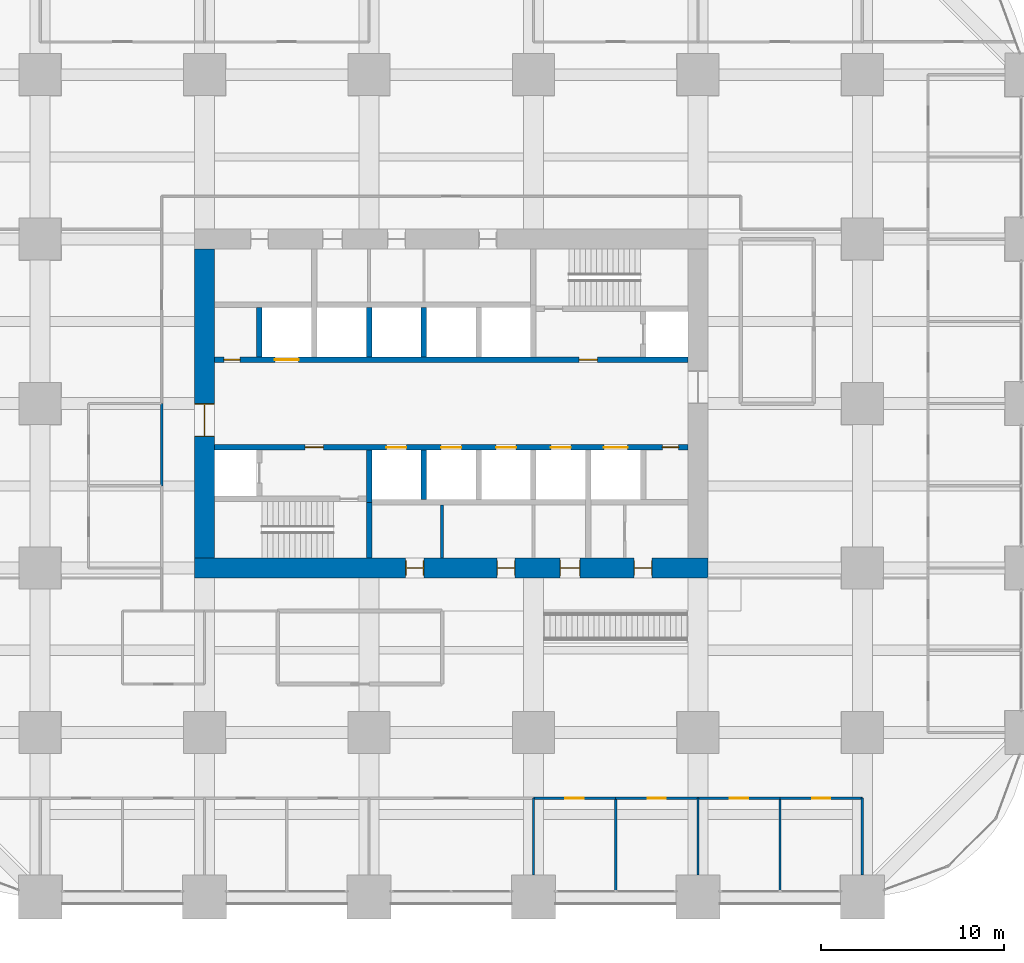
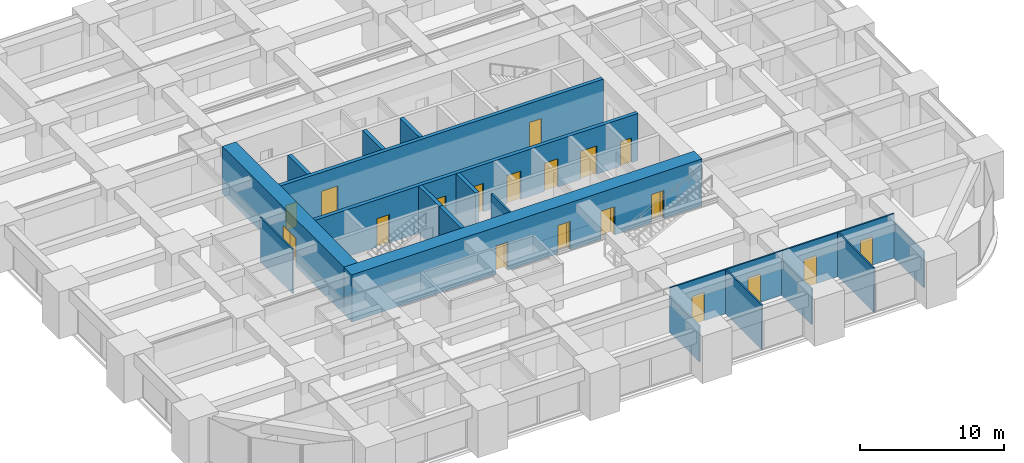
# One storey, part 40 of 45: 21 walls, 19 doors, 19 openings.
"""IFC4 building model written with IfcOpenShell, lengths in metres."""

from ifc_helpers import new_model, si_unit, direction, frame, frame_2d, origin, place, context, subcontext, project, spatial, rectangle, extrude, material, layer, layer_set, type_object, element, fill, save


model = new_model("IFC4")

# Units and contexts
model_context = context("Model", 3, precision=1e-05, world=origin(), true_north=direction((0.0, 1.0)))
body_context = subcontext(model_context, "Body", "Model", "MODEL_VIEW")
ifc_project = project(units=[si_unit("LENGTHUNIT", "METRE"), si_unit("AREAUNIT", "SQUARE_METRE"), si_unit("VOLUMEUNIT", "CUBIC_METRE"), si_unit("PLANEANGLEUNIT", "RADIAN"), si_unit("MASSUNIT", "GRAM", prefix="KILO")], contexts=[model_context])

# Site, building, storey
site_placement = place(None, origin())
site = spatial("IfcSite", under=ifc_project, at=site_placement, CompositionType="ELEMENT")
building_placement = place(site_placement, origin())
building = spatial("IfcBuilding", under=site, at=building_placement, Name="Zorevar Civic Tower", CompositionType="ELEMENT")
storey_placement = place(building_placement, frame((0.0, 0.0, 23.800048828125)))
storey = spatial("IfcBuildingStorey", under=building, at=storey_placement, Name="L05", CompositionType="ELEMENT", Elevation=23.800048828125)

# Wall, openings, doors
ifc_material_1 = material(Name="Concrete C50/60", Category="concrete")
ifc_layer_1 = layer(ifc_material_1, 1.10009765625)
ifc_layer_set_1 = layer_set([ifc_layer_1], Name="Core wall 1100")
wall_type_1 = type_object("IfcWallType", Name="Core wall 1100", PredefinedType="SHEAR", material=ifc_layer_set_1)
wall_1_placement = place(storey_placement, frame((17.449951171875, 18.0, 0.0), z_axis=(0.0, 0.0, 1.0), x_axis=(1.0, 0.0, 0.0)))
wall_1 = element("IfcWall", 1, at=wall_1_placement, inside=storey, type_object=wall_type_1, Name="Core wall S L05", PredefinedType="SHEAR", context=body_context, shape_type="SweptSolid", body=[
    extrude(rectangle(XDim=28.10009765625, YDim=1.10009765625, at=frame_2d((14.050048828125, 0.0))), origin(), (0.0, 0.0, 1.0), 4.0),
])
opening_1_placement = place(wall_1_placement, frame((11.550048828125, 0.0, 0.0)))
opening_1 = element("IfcOpeningElement", 2, at=opening_1_placement, cuts=wall_1, Name="Opening L05.03", PredefinedType="OPENING", context=body_context, shape_type="SweptSolid", body=[
    extrude(rectangle(XDim=1.0, YDim=2.39990234375, at=frame_2d((0.5, 1.199951171875))), frame((0.0, 0.56005859375, 0.0), z_axis=(0.0, -1.0, 0.0), x_axis=(1.0, 0.0, 0.0)), (0.0, 0.0, 1.0), 1.1201171875),
])
opening_2_placement = place(wall_1_placement, frame((16.550048828125, 0.0, 0.0)))
opening_2 = element("IfcOpeningElement", 3, at=opening_2_placement, cuts=wall_1, Name="Opening L05.04", PredefinedType="OPENING", context=body_context, shape_type="SweptSolid", body=[
    extrude(rectangle(XDim=1.0, YDim=2.39990234375, at=frame_2d((0.5, 1.199951171875))), frame((0.0, 0.56005859375, 0.0), z_axis=(0.0, -1.0, 0.0), x_axis=(1.0, 0.0, 0.0)), (0.0, 0.0, 1.0), 1.1201171875),
])
opening_3_placement = place(wall_1_placement, frame((20.0, 0.0, 0.0)))
opening_3 = element("IfcOpeningElement", 4, at=opening_3_placement, cuts=wall_1, Name="Opening L05.05", PredefinedType="OPENING", context=body_context, shape_type="SweptSolid", body=[
    extrude(rectangle(XDim=1.10009765625, YDim=2.39990234375, at=frame_2d((0.550048828125, 1.199951171875))), frame((0.0, 0.56005859375, 0.0), z_axis=(0.0, -1.0, 0.0), x_axis=(1.0, 0.0, 0.0)), (0.0, 0.0, 1.0), 1.1201171875),
])
opening_4_placement = place(wall_1_placement, frame((24.050048828125, 0.0, 0.0)))
opening_4 = element("IfcOpeningElement", 5, at=opening_4_placement, cuts=wall_1, Name="Opening L05.06", PredefinedType="OPENING", context=body_context, shape_type="SweptSolid", body=[
    extrude(rectangle(XDim=1.0, YDim=2.39990234375, at=frame_2d((0.5, 1.199951171875))), frame((0.0, 0.56005859375, 0.0), z_axis=(0.0, -1.0, 0.0), x_axis=(1.0, 0.0, 0.0)), (0.0, 0.0, 1.0), 1.1201171875),
])
ifc_material_2 = material(Name="Timber door set", Category="wood")
door_type_1 = type_object("IfcDoorType", Name="Door D1 1000x2400", OperationType="SINGLE_SWING_LEFT", PredefinedType="DOOR", material=ifc_material_2)
door_1_placement = place(opening_1_placement, origin())
door_1 = element("IfcDoor", 6, at=door_1_placement, inside=storey, type_object=door_type_1, Name="Door L05 02", OperationType="SINGLE_SWING_RIGHT", OverallHeight=2.39990234375, OverallWidth=1.0, PredefinedType="DOOR", context=body_context, shape_type="SweptSolid", body=[
    extrude(rectangle(XDim=1.0, YDim=2.39990234375, at=frame_2d((0.5, 1.199951171875))), frame((0.0, 0.02490234375, 0.0), z_axis=(0.0, -1.0, 0.0), x_axis=(1.0, 0.0, 0.0)), (0.0, 0.0, 1.0), 0.050048828125),
    extrude(rectangle(XDim=0.04, YDim=2.39990234375, at=frame_2d((0.02001953125, 1.199951171875))), frame((0.0, 0.39990234375, 0.0), z_axis=(0.0, -1.0, 0.0), x_axis=(1.0, 0.0, 0.0)), (0.0, 0.0, 1.0), 0.800048828125),
    extrude(rectangle(XDim=0.04, YDim=2.39990234375, at=frame_2d((0.97998046875, 1.199951171875))), frame((0.0, 0.39990234375, 0.0), z_axis=(0.0, -1.0, 0.0), x_axis=(1.0, 0.0, 0.0)), (0.0, 0.0, 1.0), 0.800048828125),
    extrude(rectangle(XDim=1.0, YDim=0.04, at=frame_2d((0.5, 2.3798828125))), frame((0.0, 0.39990234375, 0.0), z_axis=(0.0, -1.0, 0.0), x_axis=(1.0, 0.0, 0.0)), (0.0, 0.0, 1.0), 0.800048828125),
])
fill(opening_1, door_1)
door_2_placement = place(opening_2_placement, origin())
door_2 = element("IfcDoor", 7, at=door_2_placement, inside=storey, type_object=door_type_1, Name="Door L05 03", OperationType="SINGLE_SWING_LEFT", OverallHeight=2.39990234375, OverallWidth=1.0, PredefinedType="DOOR", context=body_context, shape_type="SweptSolid", body=[
    extrude(rectangle(XDim=1.0, YDim=2.39990234375, at=frame_2d((0.5, 1.199951171875))), frame((0.0, 0.02490234375, 0.0), z_axis=(0.0, -1.0, 0.0), x_axis=(1.0, 0.0, 0.0)), (0.0, 0.0, 1.0), 0.050048828125),
    extrude(rectangle(XDim=0.04, YDim=2.39990234375, at=frame_2d((0.02001953125, 1.199951171875))), frame((0.0, 0.39990234375, 0.0), z_axis=(0.0, -1.0, 0.0), x_axis=(1.0, 0.0, 0.0)), (0.0, 0.0, 1.0), 0.800048828125),
    extrude(rectangle(XDim=0.04, YDim=2.39990234375, at=frame_2d((0.97998046875, 1.199951171875))), frame((0.0, 0.39990234375, 0.0), z_axis=(0.0, -1.0, 0.0), x_axis=(1.0, 0.0, 0.0)), (0.0, 0.0, 1.0), 0.800048828125),
    extrude(rectangle(XDim=1.0, YDim=0.04, at=frame_2d((0.5, 2.3798828125))), frame((0.0, 0.39990234375, 0.0), z_axis=(0.0, -1.0, 0.0), x_axis=(1.0, 0.0, 0.0)), (0.0, 0.0, 1.0), 0.800048828125),
])
fill(opening_2, door_2)
door_3_placement = place(opening_4_placement, origin())
door_3 = element("IfcDoor", 8, at=door_3_placement, inside=storey, type_object=door_type_1, Name="Door L05 05", OperationType="SINGLE_SWING_LEFT", OverallHeight=2.39990234375, OverallWidth=1.0, PredefinedType="DOOR", context=body_context, shape_type="SweptSolid", body=[
    extrude(rectangle(XDim=1.0, YDim=2.39990234375, at=frame_2d((0.5, 1.199951171875))), frame((0.0, 0.02490234375, 0.0), z_axis=(0.0, -1.0, 0.0), x_axis=(1.0, 0.0, 0.0)), (0.0, 0.0, 1.0), 0.050048828125),
    extrude(rectangle(XDim=0.04, YDim=2.39990234375, at=frame_2d((0.02001953125, 1.199951171875))), frame((0.0, 0.39990234375, 0.0), z_axis=(0.0, -1.0, 0.0), x_axis=(1.0, 0.0, 0.0)), (0.0, 0.0, 1.0), 0.800048828125),
    extrude(rectangle(XDim=0.04, YDim=2.39990234375, at=frame_2d((0.97998046875, 1.199951171875))), frame((0.0, 0.39990234375, 0.0), z_axis=(0.0, -1.0, 0.0), x_axis=(1.0, 0.0, 0.0)), (0.0, 0.0, 1.0), 0.800048828125),
    extrude(rectangle(XDim=1.0, YDim=0.04, at=frame_2d((0.5, 2.3798828125))), frame((0.0, 0.39990234375, 0.0), z_axis=(0.0, -1.0, 0.0), x_axis=(1.0, 0.0, 0.0)), (0.0, 0.0, 1.0), 0.800048828125),
])
fill(opening_4, door_3)
ifc_material_3 = material(Name="Timber door set", Category="wood")
door_type_2 = type_object("IfcDoorType", Name="Door D5 1100x2400", OperationType="SINGLE_SWING_LEFT", PredefinedType="DOOR", material=ifc_material_3)
door_4_placement = place(opening_3_placement, origin())
door_4 = element("IfcDoor", 9, at=door_4_placement, inside=storey, type_object=door_type_2, Name="Door L05 04", OperationType="SINGLE_SWING_LEFT", OverallHeight=2.39990234375, OverallWidth=1.10009765625, PredefinedType="DOOR", context=body_context, shape_type="SweptSolid", body=[
    extrude(rectangle(XDim=1.10009765625, YDim=2.39990234375, at=frame_2d((0.550048828125, 1.199951171875))), frame((0.0, 0.02490234375, 0.0), z_axis=(0.0, -1.0, 0.0), x_axis=(1.0, 0.0, 0.0)), (0.0, 0.0, 1.0), 0.050048828125),
    extrude(rectangle(XDim=0.04, YDim=2.39990234375, at=frame_2d((0.02001953125, 1.199951171875))), frame((0.0, 0.43994140625, 0.0), z_axis=(0.0, -1.0, 0.0), x_axis=(1.0, 0.0, 0.0)), (0.0, 0.0, 1.0), 0.880126953125),
    extrude(rectangle(XDim=0.04, YDim=2.39990234375, at=frame_2d((1.080078125, 1.199951171875))), frame((0.0, 0.43994140625, 0.0), z_axis=(0.0, -1.0, 0.0), x_axis=(1.0, 0.0, 0.0)), (0.0, 0.0, 1.0), 0.880126953125),
    extrude(rectangle(XDim=1.10009765625, YDim=0.04, at=frame_2d((0.550048828125, 2.3798828125))), frame((0.0, 0.43994140625, 0.0), z_axis=(0.0, -1.0, 0.0), x_axis=(1.0, 0.0, 0.0)), (0.0, 0.0, 1.0), 0.880126953125),
])
fill(opening_3, door_4)

# Wall, opening, door
wall_2_placement = place(storey_placement, frame((18.0, 35.449951171875, 0.0), z_axis=(0.0, 0.0, 1.0), x_axis=(0.0, -1.0, 0.0)))
wall_2 = element("IfcWall", 10, at=wall_2_placement, inside=storey, type_object=wall_type_1, Name="Core wall W L05", PredefinedType="SHEAR", context=body_context, shape_type="SweptSolid", body=[
    extrude(rectangle(XDim=16.89990234375, YDim=1.10009765625, at=frame_2d((8.449951171875, 0.0))), origin(), (0.0, 0.0, 1.0), 4.0),
])
opening_5_placement = place(wall_2_placement, frame((8.449951171875, 0.0, 0.0)))
opening_5 = element("IfcOpeningElement", 11, at=opening_5_placement, cuts=wall_2, Name="Opening L05.01", PredefinedType="OPENING", context=body_context, shape_type="SweptSolid", body=[
    extrude(rectangle(XDim=1.800048828125, YDim=2.39990234375, at=frame_2d((0.89990234375, 1.199951171875))), frame((0.0, 0.56005859375, 0.0), z_axis=(0.0, -1.0, 0.0), x_axis=(1.0, 0.0, 0.0)), (0.0, 0.0, 1.0), 1.1201171875),
])
ifc_material_4 = material(Name="Steel door set", Category="steel")
door_type_3 = type_object("IfcDoorType", Name="Fire door FD2 1800x2400", OperationType="DOUBLE_DOOR_DOUBLE_SWING", PredefinedType="DOOR", material=ifc_material_4)
door_5_placement = place(opening_5_placement, origin())
door_5 = element("IfcDoor", 12, at=door_5_placement, inside=storey, type_object=door_type_3, Name="Door L05 00", OperationType="DOUBLE_DOOR_DOUBLE_SWING", OverallHeight=2.39990234375, OverallWidth=1.800048828125, PredefinedType="DOOR", context=body_context, shape_type="SweptSolid", body=[
    extrude(rectangle(XDim=1.800048828125, YDim=2.39990234375, at=frame_2d((0.89990234375, 1.199951171875))), frame((0.0, 0.030029296875, 0.0), z_axis=(0.0, -1.0, 0.0), x_axis=(1.0, 0.0, 0.0)), (0.0, 0.0, 1.0), 0.06005859375),
    extrude(rectangle(XDim=0.04, YDim=2.39990234375, at=frame_2d((0.02001953125, 1.199951171875))), frame((0.0, 0.5498046875, 0.0), z_axis=(0.0, -1.0, 0.0), x_axis=(1.0, 0.0, 0.0)), (0.0, 0.0, 1.0), 1.099609375),
    extrude(rectangle(XDim=0.04, YDim=2.39990234375, at=frame_2d((1.780029296875, 1.199951171875))), frame((0.0, 0.5498046875, 0.0), z_axis=(0.0, -1.0, 0.0), x_axis=(1.0, 0.0, 0.0)), (0.0, 0.0, 1.0), 1.099609375),
    extrude(rectangle(XDim=1.800048828125, YDim=0.04, at=frame_2d((0.89990234375, 2.3798828125))), frame((0.0, 0.5498046875, 0.0), z_axis=(0.0, -1.0, 0.0), x_axis=(1.0, 0.0, 0.0)), (0.0, 0.0, 1.0), 1.099609375),
])
fill(opening_5, door_5)

# Wall
ifc_material_5 = material(Name="Concrete C40/50", Category="concrete")
ifc_layer_2 = layer(ifc_material_5, 0.300048828125)
ifc_layer_set_2 = layer_set([ifc_layer_2], Name="Inner core wall 300")
wall_type_2 = type_object("IfcWallType", Name="Inner core wall 300", PredefinedType="SHEAR", material=ifc_layer_set_2)
wall_3_placement = place(storey_placement, frame((27.0, 18.550048828125, 0.0), z_axis=(0.0, 0.0, 1.0), x_axis=(0.0, 1.0, 0.0)))
element("IfcWall", 13, at=wall_3_placement, inside=storey, type_object=wall_type_2, Name="Inner core wall S01 L05", PredefinedType="SHEAR", context=body_context, shape_type="SweptSolid", body=[
    extrude(rectangle(XDim=3.050048828125, YDim=0.300048828125, at=frame_2d((1.52490234375, 0.0))), origin(), (0.0, 0.0, 1.0), 4.0),
])

# Wall, openings, doors
wall_4_placement = place(storey_placement, frame((18.550048828125, 24.60009765625, 0.0), z_axis=(0.0, 0.0, 1.0), x_axis=(1.0, 0.0, 0.0)))
wall_4 = element("IfcWall", 14, at=wall_4_placement, inside=storey, type_object=wall_type_2, Name="Inner core wall S03 L05", PredefinedType="SHEAR", context=body_context, shape_type="SweptSolid", body=[
    extrude(rectangle(XDim=25.89990234375, YDim=0.300048828125, at=frame_2d((12.949951171875, 0.0))), origin(), (0.0, 0.0, 1.0), 4.0),
])
opening_6_placement = place(wall_4_placement, frame((4.949951171875, 0.0, 0.0)))
opening_6 = element("IfcOpeningElement", 15, at=opening_6_placement, cuts=wall_4, Name="Opening L05.13", PredefinedType="OPENING", context=body_context, shape_type="SweptSolid", body=[
    extrude(rectangle(XDim=1.0, YDim=2.39990234375, at=frame_2d((0.5, 1.199951171875))), frame((0.0, 0.159912109375, 0.0), z_axis=(0.0, -1.0, 0.0), x_axis=(1.0, 0.0, 0.0)), (0.0, 0.0, 1.0), 0.320068359375),
])
opening_7_placement = place(wall_4_placement, frame((24.5, 0.0, 0.0)))
opening_7 = element("IfcOpeningElement", 16, at=opening_7_placement, cuts=wall_4, Name="Opening L05.15", PredefinedType="OPENING", context=body_context, shape_type="SweptSolid", body=[
    extrude(rectangle(XDim=0.89990234375, YDim=2.10009765625, at=frame_2d((0.449951171875, 1.050048828125))), frame((0.0, 0.159912109375, 0.0), z_axis=(0.0, -1.0, 0.0), x_axis=(1.0, 0.0, 0.0)), (0.0, 0.0, 1.0), 0.320068359375),
])
opening_8_placement = place(wall_4_placement, frame((9.39990234375, 0.0, 0.0)))
opening_8 = element("IfcOpeningElement", 17, at=opening_8_placement, cuts=wall_4, Name="Opening L05.LP1", PredefinedType="OPENING", context=body_context, shape_type="SweptSolid", body=[
    extrude(rectangle(XDim=1.10009765625, YDim=2.39990234375, at=frame_2d((0.550048828125, 1.199951171875))), frame((0.0, 0.159912109375, 0.0), z_axis=(0.0, -1.0, 0.0), x_axis=(1.0, 0.0, 0.0)), (0.0, 0.0, 1.0), 0.320068359375),
])
opening_9_placement = place(wall_4_placement, frame((12.39990234375, 0.0, 0.0)))
opening_9 = element("IfcOpeningElement", 18, at=opening_9_placement, cuts=wall_4, Name="Opening L05.LP2", PredefinedType="OPENING", context=body_context, shape_type="SweptSolid", body=[
    extrude(rectangle(XDim=1.10009765625, YDim=2.39990234375, at=frame_2d((0.550048828125, 1.199951171875))), frame((0.0, 0.159912109375, 0.0), z_axis=(0.0, -1.0, 0.0), x_axis=(1.0, 0.0, 0.0)), (0.0, 0.0, 1.0), 0.320068359375),
])
opening_10_placement = place(wall_4_placement, frame((15.39990234375, 0.0, 0.0)))
opening_10 = element("IfcOpeningElement", 19, at=opening_10_placement, cuts=wall_4, Name="Opening L05.LP3", PredefinedType="OPENING", context=body_context, shape_type="SweptSolid", body=[
    extrude(rectangle(XDim=1.10009765625, YDim=2.39990234375, at=frame_2d((0.550048828125, 1.199951171875))), frame((0.0, 0.159912109375, 0.0), z_axis=(0.0, -1.0, 0.0), x_axis=(1.0, 0.0, 0.0)), (0.0, 0.0, 1.0), 0.320068359375),
])
opening_11_placement = place(wall_4_placement, frame((18.39990234375, 0.0, 0.0)))
opening_11 = element("IfcOpeningElement", 20, at=opening_11_placement, cuts=wall_4, Name="Opening L05.LP4", PredefinedType="OPENING", context=body_context, shape_type="SweptSolid", body=[
    extrude(rectangle(XDim=1.10009765625, YDim=2.39990234375, at=frame_2d((0.550048828125, 1.199951171875))), frame((0.0, 0.159912109375, 0.0), z_axis=(0.0, -1.0, 0.0), x_axis=(1.0, 0.0, 0.0)), (0.0, 0.0, 1.0), 0.320068359375),
])
opening_12_placement = place(wall_4_placement, frame((21.300048828125, 0.0, 0.0)))
opening_12 = element("IfcOpeningElement", 21, at=opening_12_placement, cuts=wall_4, Name="Opening L05.SL1", PredefinedType="OPENING", context=body_context, shape_type="SweptSolid", body=[
    extrude(rectangle(XDim=1.300048828125, YDim=2.39990234375, at=frame_2d((0.64990234375, 1.199951171875))), frame((0.0, 0.159912109375, 0.0), z_axis=(0.0, -1.0, 0.0), x_axis=(1.0, 0.0, 0.0)), (0.0, 0.0, 1.0), 0.320068359375),
])
ifc_material_6 = material(Name="Steel door set", Category="steel")
door_type_4 = type_object("IfcDoorType", Name="Fire door FD1 1000x2400", OperationType="SINGLE_SWING_LEFT", PredefinedType="DOOR", material=ifc_material_6)
door_6_placement = place(opening_6_placement, origin())
door_6 = element("IfcDoor", 22, at=door_6_placement, inside=storey, type_object=door_type_4, Name="Door L05 12", OperationType="SINGLE_SWING_RIGHT", OverallHeight=2.39990234375, OverallWidth=1.0, PredefinedType="DOOR", context=body_context, shape_type="SweptSolid", body=[
    extrude(rectangle(XDim=1.0, YDim=2.39990234375, at=frame_2d((0.5, 1.199951171875))), frame((0.0, 0.030029296875, 0.0), z_axis=(0.0, -1.0, 0.0), x_axis=(1.0, 0.0, 0.0)), (0.0, 0.0, 1.0), 0.06005859375),
])
fill(opening_6, door_6)
ifc_material_7 = material(Name="Steel door set", Category="steel")
door_type_5 = type_object("IfcDoorType", Name="Landing door LD1 1100x2400", OperationType="DOUBLE_DOOR_SLIDING", PredefinedType="DOOR", material=ifc_material_7)
door_7_placement = place(opening_8_placement, origin())
door_7 = element("IfcDoor", 23, at=door_7_placement, inside=storey, type_object=door_type_5, Name="Landing door LP1 L05", OperationType="DOUBLE_DOOR_SLIDING", OverallHeight=2.39990234375, OverallWidth=1.10009765625, PredefinedType="DOOR", context=body_context, shape_type="SweptSolid", body=[
    extrude(rectangle(XDim=1.10009765625, YDim=2.39990234375, at=frame_2d((0.550048828125, 1.199951171875))), frame((0.0, 0.02001953125, 0.0), z_axis=(0.0, -1.0, 0.0), x_axis=(1.0, 0.0, 0.0)), (0.0, 0.0, 1.0), 0.0400390625),
])
fill(opening_8, door_7)
door_8_placement = place(opening_9_placement, origin())
door_8 = element("IfcDoor", 24, at=door_8_placement, inside=storey, type_object=door_type_5, Name="Landing door LP2 L05", OperationType="DOUBLE_DOOR_SLIDING", OverallHeight=2.39990234375, OverallWidth=1.10009765625, PredefinedType="DOOR", context=body_context, shape_type="SweptSolid", body=[
    extrude(rectangle(XDim=1.10009765625, YDim=2.39990234375, at=frame_2d((0.550048828125, 1.199951171875))), frame((0.0, 0.02001953125, 0.0), z_axis=(0.0, -1.0, 0.0), x_axis=(1.0, 0.0, 0.0)), (0.0, 0.0, 1.0), 0.0400390625),
])
fill(opening_9, door_8)
door_9_placement = place(opening_10_placement, origin())
door_9 = element("IfcDoor", 25, at=door_9_placement, inside=storey, type_object=door_type_5, Name="Landing door LP3 L05", OperationType="DOUBLE_DOOR_SLIDING", OverallHeight=2.39990234375, OverallWidth=1.10009765625, PredefinedType="DOOR", context=body_context, shape_type="SweptSolid", body=[
    extrude(rectangle(XDim=1.10009765625, YDim=2.39990234375, at=frame_2d((0.550048828125, 1.199951171875))), frame((0.0, 0.02001953125, 0.0), z_axis=(0.0, -1.0, 0.0), x_axis=(1.0, 0.0, 0.0)), (0.0, 0.0, 1.0), 0.0400390625),
])
fill(opening_10, door_9)
door_10_placement = place(opening_11_placement, origin())
door_10 = element("IfcDoor", 26, at=door_10_placement, inside=storey, type_object=door_type_5, Name="Landing door LP4 L05", OperationType="DOUBLE_DOOR_SLIDING", OverallHeight=2.39990234375, OverallWidth=1.10009765625, PredefinedType="DOOR", context=body_context, shape_type="SweptSolid", body=[
    extrude(rectangle(XDim=1.10009765625, YDim=2.39990234375, at=frame_2d((0.550048828125, 1.199951171875))), frame((0.0, 0.02001953125, 0.0), z_axis=(0.0, -1.0, 0.0), x_axis=(1.0, 0.0, 0.0)), (0.0, 0.0, 1.0), 0.0400390625),
])
fill(opening_11, door_10)
ifc_material_8 = material(Name="Steel door set", Category="steel")
door_type_6 = type_object("IfcDoorType", Name="Landing door LD2 1300x2400", OperationType="DOUBLE_DOOR_SLIDING", PredefinedType="DOOR", material=ifc_material_8)
door_11_placement = place(opening_12_placement, origin())
door_11 = element("IfcDoor", 27, at=door_11_placement, inside=storey, type_object=door_type_6, Name="Landing door SL1 L05", OperationType="DOUBLE_DOOR_SLIDING", OverallHeight=2.39990234375, OverallWidth=1.300048828125, PredefinedType="DOOR", context=body_context, shape_type="SweptSolid", body=[
    extrude(rectangle(XDim=1.300048828125, YDim=2.39990234375, at=frame_2d((0.64990234375, 1.199951171875))), frame((0.0, 0.02001953125, 0.0), z_axis=(0.0, -1.0, 0.0), x_axis=(1.0, 0.0, 0.0)), (0.0, 0.0, 1.0), 0.0400390625),
])
fill(opening_12, door_11)
ifc_material_9 = material(Name="Steel door set", Category="steel")
door_type_7 = type_object("IfcDoorType", Name="Riser door RD1 900x2100", OperationType="SINGLE_SWING_LEFT", PredefinedType="DOOR", material=ifc_material_9)
door_12_placement = place(opening_7_placement, origin())
door_12 = element("IfcDoor", 28, at=door_12_placement, inside=storey, type_object=door_type_7, Name="Door L05 14", OperationType="SINGLE_SWING_RIGHT", OverallHeight=2.10009765625, OverallWidth=0.89990234375, PredefinedType="DOOR", context=body_context, shape_type="SweptSolid", body=[
    extrude(rectangle(XDim=0.89990234375, YDim=2.10009765625, at=frame_2d((0.449951171875, 1.050048828125))), frame((0.0, 0.030029296875, 0.0), z_axis=(0.0, -1.0, 0.0), x_axis=(1.0, 0.0, 0.0)), (0.0, 0.0, 1.0), 0.06005859375),
])
fill(opening_7, door_12)

wall_5_placement = place(storey_placement, frame((18.550048828125, 29.39990234375, 0.0), z_axis=(0.0, 0.0, 1.0), x_axis=(1.0, 0.0, 0.0)))
wall_5 = element("IfcWall", 29, at=wall_5_placement, inside=storey, type_object=wall_type_2, Name="Inner core wall N03 L05", PredefinedType="SHEAR", context=body_context, shape_type="SweptSolid", body=[
    extrude(rectangle(XDim=25.89990234375, YDim=0.300048828125, at=frame_2d((12.949951171875, 0.0))), origin(), (0.0, 0.0, 1.0), 4.0),
])
opening_13_placement = place(wall_5_placement, frame((19.949951171875, 0.0, 0.0)))
opening_13 = element("IfcOpeningElement", 30, at=opening_13_placement, cuts=wall_5, Name="Opening L05.14", PredefinedType="OPENING", context=body_context, shape_type="SweptSolid", body=[
    extrude(rectangle(XDim=1.0, YDim=2.39990234375, at=frame_2d((0.5, 1.199951171875))), frame((0.0, 0.159912109375, 0.0), z_axis=(0.0, -1.0, 0.0), x_axis=(1.0, 0.0, 0.0)), (0.0, 0.0, 1.0), 0.320068359375),
])
opening_14_placement = place(wall_5_placement, frame((0.5, 0.0, 0.0)))
opening_14 = element("IfcOpeningElement", 31, at=opening_14_placement, cuts=wall_5, Name="Opening L05.16", PredefinedType="OPENING", context=body_context, shape_type="SweptSolid", body=[
    extrude(rectangle(XDim=0.89990234375, YDim=2.10009765625, at=frame_2d((0.449951171875, 1.050048828125))), frame((0.0, 0.159912109375, 0.0), z_axis=(0.0, -1.0, 0.0), x_axis=(1.0, 0.0, 0.0)), (0.0, 0.0, 1.0), 0.320068359375),
])
opening_15_placement = place(wall_5_placement, frame((3.300048828125, 0.0, 0.0)))
opening_15 = element("IfcOpeningElement", 32, at=opening_15_placement, cuts=wall_5, Name="Opening L05.SL2", PredefinedType="OPENING", context=body_context, shape_type="SweptSolid", body=[
    extrude(rectangle(XDim=1.300048828125, YDim=2.39990234375, at=frame_2d((0.64990234375, 1.199951171875))), frame((0.0, 0.159912109375, 0.0), z_axis=(0.0, -1.0, 0.0), x_axis=(1.0, 0.0, 0.0)), (0.0, 0.0, 1.0), 0.320068359375),
])
door_13_placement = place(opening_13_placement, origin())
door_13 = element("IfcDoor", 33, at=door_13_placement, inside=storey, type_object=door_type_4, Name="Door L05 13", OperationType="SINGLE_SWING_RIGHT", OverallHeight=2.39990234375, OverallWidth=1.0, PredefinedType="DOOR", context=body_context, shape_type="SweptSolid", body=[
    extrude(rectangle(XDim=1.0, YDim=2.39990234375, at=frame_2d((0.5, 1.199951171875))), frame((0.0, 0.030029296875, 0.0), z_axis=(0.0, -1.0, 0.0), x_axis=(1.0, 0.0, 0.0)), (0.0, 0.0, 1.0), 0.06005859375),
])
fill(opening_13, door_13)
door_14_placement = place(opening_15_placement, origin())
door_14 = element("IfcDoor", 34, at=door_14_placement, inside=storey, type_object=door_type_6, Name="Landing door SL2 L05", OperationType="DOUBLE_DOOR_SLIDING", OverallHeight=2.39990234375, OverallWidth=1.300048828125, PredefinedType="DOOR", context=body_context, shape_type="SweptSolid", body=[
    extrude(rectangle(XDim=1.300048828125, YDim=2.39990234375, at=frame_2d((0.64990234375, 1.199951171875))), frame((0.0, 0.02001953125, 0.0), z_axis=(0.0, -1.0, 0.0), x_axis=(1.0, 0.0, 0.0)), (0.0, 0.0, 1.0), 0.0400390625),
])
fill(opening_15, door_14)
door_15_placement = place(opening_14_placement, origin())
door_15 = element("IfcDoor", 35, at=door_15_placement, inside=storey, type_object=door_type_7, Name="Door L05 15", OperationType="SINGLE_SWING_RIGHT", OverallHeight=2.10009765625, OverallWidth=0.89990234375, PredefinedType="DOOR", context=body_context, shape_type="SweptSolid", body=[
    extrude(rectangle(XDim=0.89990234375, YDim=2.10009765625, at=frame_2d((0.449951171875, 1.050048828125))), frame((0.0, 0.030029296875, 0.0), z_axis=(0.0, -1.0, 0.0), x_axis=(1.0, 0.0, 0.0)), (0.0, 0.0, 1.0), 0.06005859375),
])
fill(opening_14, door_15)

# Walls
for number, where, z_axis, x_axis, name in (
    (36, (30.0, 21.75, 0.0), (0.0, 0.0, 1.0), (0.0, 1.0, 0.0), "Inner core wall S05 L05"),
    (37, (30.0, 29.550048828125, 0.0), (0.0, 0.0, 1.0), (0.0, 1.0, 0.0), "Inner core wall N06 L05"),
    (38, (27.0, 29.550048828125, 0.0), (0.0, 0.0, 1.0), (0.0, 1.0, 0.0), "Inner core wall N07 L05"),
    (39, (21.0, 29.550048828125, 0.0), (0.0, 0.0, 1.0), (0.0, 1.0, 0.0), "Inner core wall N09 L05"),
):
    element("IfcWall", number, at=place(storey_placement, frame(where, z_axis=z_axis, x_axis=x_axis)), inside=storey, type_object=wall_type_2, Name=name, PredefinedType="SHEAR", context=body_context, shape_type="SweptSolid", body=[
        extrude(rectangle(XDim=2.699951171875, YDim=0.300048828125, at=frame_2d((1.35009765625, 0.0))), origin(), (0.0, 0.0, 1.0), 4.0),
    ])
wall_6_placement = place(storey_placement, frame((27.0, 21.60009765625, 0.0), z_axis=(0.0, 0.0, 1.0), x_axis=(0.0, 1.0, 0.0)))
element("IfcWall", 40, at=wall_6_placement, inside=storey, type_object=wall_type_2, Name="Inner core wall S10 L05", PredefinedType="SHEAR", context=body_context, shape_type="SweptSolid", body=[
    extrude(rectangle(XDim=2.849853515625, YDim=0.300048828125, at=frame_2d((1.4248046875, 0.0))), origin(), (0.0, 0.0, 1.0), 4.0),
])

# Wall, opening, door
ifc_material_10 = material(Name="Gypsum board on steel studs", Category="steel")
ifc_layer_3 = layer(ifc_material_10, 0.1201171875)
ifc_layer_set_3 = layer_set([ifc_layer_3], Name="Partition 120")
wall_type_3 = type_object("IfcWallType", Name="Partition 120", PredefinedType="PARTITIONING", material=ifc_layer_set_3)
wall_7_placement = place(storey_placement, frame((36.0, 5.39990234375, 0.0), z_axis=(0.0, 0.0, 1.0), x_axis=(1.0, 0.0, 0.0)))
wall_7 = element("IfcWall", 41, at=wall_7_placement, inside=storey, type_object=wall_type_3, Name="Partition 120 L05", PredefinedType="PARTITIONING", context=body_context, shape_type="SweptSolid", body=[
    extrude(rectangle(XDim=4.5, YDim=0.1201171875, at=frame_2d((2.25, 0.0))), origin(), (0.0, 0.0, 1.0), 3.75),
])
opening_16_placement = place(wall_7_placement, frame((1.75, 0.0, 0.0)))
opening_16 = element("IfcOpeningElement", 42, at=opening_16_placement, cuts=wall_7, Name="Opening L05.22", PredefinedType="OPENING", context=body_context, shape_type="SweptSolid", body=[
    extrude(rectangle(XDim=1.0, YDim=2.39990234375, at=frame_2d((0.5, 1.199951171875))), frame((0.0, 0.070068359375, 0.0), z_axis=(0.0, -1.0, 0.0), x_axis=(1.0, 0.0, 0.0)), (0.0, 0.0, 1.0), 0.14013671875),
])
door_16_placement = place(opening_16_placement, origin())
door_16 = element("IfcDoor", 43, at=door_16_placement, inside=storey, type_object=door_type_1, Name="Door L05 D1", OperationType="SINGLE_SWING_LEFT", OverallHeight=2.39990234375, OverallWidth=1.0, PredefinedType="DOOR", context=body_context, shape_type="SweptSolid", body=[
    extrude(rectangle(XDim=1.0, YDim=2.39990234375, at=frame_2d((0.5, 1.199951171875))), frame((0.0, 0.02490234375, 0.0), z_axis=(0.0, -1.0, 0.0), x_axis=(1.0, 0.0, 0.0)), (0.0, 0.0, 1.0), 0.050048828125),
])
fill(opening_16, door_16)

wall_8_placement = place(storey_placement, frame((40.5, 5.39990234375, 0.0), z_axis=(0.0, 0.0, 1.0), x_axis=(1.0, 0.0, 0.0)))
wall_8 = element("IfcWall", 44, at=wall_8_placement, inside=storey, type_object=wall_type_3, Name="Partition 120 L05", PredefinedType="PARTITIONING", context=body_context, shape_type="SweptSolid", body=[
    extrude(rectangle(XDim=4.5, YDim=0.1201171875, at=frame_2d((2.25, 0.0))), origin(), (0.0, 0.0, 1.0), 3.75),
])
opening_17_placement = place(wall_8_placement, frame((1.75, 0.0, 0.0)))
opening_17 = element("IfcOpeningElement", 45, at=opening_17_placement, cuts=wall_8, Name="Opening L05.23", PredefinedType="OPENING", context=body_context, shape_type="SweptSolid", body=[
    extrude(rectangle(XDim=1.0, YDim=2.39990234375, at=frame_2d((0.5, 1.199951171875))), frame((0.0, 0.070068359375, 0.0), z_axis=(0.0, -1.0, 0.0), x_axis=(1.0, 0.0, 0.0)), (0.0, 0.0, 1.0), 0.14013671875),
])
door_17_placement = place(opening_17_placement, origin())
door_17 = element("IfcDoor", 46, at=door_17_placement, inside=storey, type_object=door_type_1, Name="Door L05 D1", OperationType="SINGLE_SWING_LEFT", OverallHeight=2.39990234375, OverallWidth=1.0, PredefinedType="DOOR", context=body_context, shape_type="SweptSolid", body=[
    extrude(rectangle(XDim=1.0, YDim=2.39990234375, at=frame_2d((0.5, 1.199951171875))), frame((0.0, 0.02490234375, 0.0), z_axis=(0.0, -1.0, 0.0), x_axis=(1.0, 0.0, 0.0)), (0.0, 0.0, 1.0), 0.050048828125),
])
fill(opening_17, door_17)

wall_9_placement = place(storey_placement, frame((45.0, 5.39990234375, 0.0), z_axis=(0.0, 0.0, 1.0), x_axis=(1.0, 0.0, 0.0)))
wall_9 = element("IfcWall", 47, at=wall_9_placement, inside=storey, type_object=wall_type_3, Name="Partition 120 L05", PredefinedType="PARTITIONING", context=body_context, shape_type="SweptSolid", body=[
    extrude(rectangle(XDim=4.5, YDim=0.1201171875, at=frame_2d((2.25, 0.0))), origin(), (0.0, 0.0, 1.0), 3.75),
])
opening_18_placement = place(wall_9_placement, frame((1.75, 0.0, 0.0)))
opening_18 = element("IfcOpeningElement", 48, at=opening_18_placement, cuts=wall_9, Name="Opening L05.24", PredefinedType="OPENING", context=body_context, shape_type="SweptSolid", body=[
    extrude(rectangle(XDim=1.0, YDim=2.39990234375, at=frame_2d((0.5, 1.199951171875))), frame((0.0, 0.070068359375, 0.0), z_axis=(0.0, -1.0, 0.0), x_axis=(1.0, 0.0, 0.0)), (0.0, 0.0, 1.0), 0.14013671875),
])
door_18_placement = place(opening_18_placement, origin())
door_18 = element("IfcDoor", 49, at=door_18_placement, inside=storey, type_object=door_type_1, Name="Door L05 D1", OperationType="SINGLE_SWING_LEFT", OverallHeight=2.39990234375, OverallWidth=1.0, PredefinedType="DOOR", context=body_context, shape_type="SweptSolid", body=[
    extrude(rectangle(XDim=1.0, YDim=2.39990234375, at=frame_2d((0.5, 1.199951171875))), frame((0.0, 0.02490234375, 0.0), z_axis=(0.0, -1.0, 0.0), x_axis=(1.0, 0.0, 0.0)), (0.0, 0.0, 1.0), 0.050048828125),
])
fill(opening_18, door_18)

wall_10_placement = place(storey_placement, frame((49.5, 5.39990234375, 0.0), z_axis=(0.0, 0.0, 1.0), x_axis=(1.0, 0.0, 0.0)))
wall_10 = element("IfcWall", 50, at=wall_10_placement, inside=storey, type_object=wall_type_3, Name="Partition 120 L05", PredefinedType="PARTITIONING", context=body_context, shape_type="SweptSolid", body=[
    extrude(rectangle(XDim=4.5, YDim=0.1201171875, at=frame_2d((2.25, 0.0))), origin(), (0.0, 0.0, 1.0), 3.75),
])
opening_19_placement = place(wall_10_placement, frame((1.75, 0.0, 0.0)))
opening_19 = element("IfcOpeningElement", 51, at=opening_19_placement, cuts=wall_10, Name="Opening L05.25", PredefinedType="OPENING", context=body_context, shape_type="SweptSolid", body=[
    extrude(rectangle(XDim=1.0, YDim=2.39990234375, at=frame_2d((0.5, 1.199951171875))), frame((0.0, 0.070068359375, 0.0), z_axis=(0.0, -1.0, 0.0), x_axis=(1.0, 0.0, 0.0)), (0.0, 0.0, 1.0), 0.14013671875),
])
door_19_placement = place(opening_19_placement, origin())
door_19 = element("IfcDoor", 52, at=door_19_placement, inside=storey, type_object=door_type_1, Name="Door L05 D1", OperationType="SINGLE_SWING_LEFT", OverallHeight=2.39990234375, OverallWidth=1.0, PredefinedType="DOOR", context=body_context, shape_type="SweptSolid", body=[
    extrude(rectangle(XDim=1.0, YDim=2.39990234375, at=frame_2d((0.5, 1.199951171875))), frame((0.0, 0.02490234375, 0.0), z_axis=(0.0, -1.0, 0.0), x_axis=(1.0, 0.0, 0.0)), (0.0, 0.0, 1.0), 0.050048828125),
])
fill(opening_19, door_19)

# Walls
wall_11_placement = place(storey_placement, frame((15.64990234375, 22.5, 0.0), z_axis=(0.0, 0.0, 1.0), x_axis=(0.0, 1.0, 0.0)))
element("IfcWall", 53, at=wall_11_placement, inside=storey, type_object=wall_type_3, Name="Partition 120 L05", PredefinedType="PARTITIONING", context=body_context, shape_type="SweptSolid", body=[
    extrude(rectangle(XDim=4.5, YDim=0.1201171875, at=frame_2d((2.25, 0.0))), origin(), (0.0, 0.0, 1.0), 3.75),
])
wall_12_placement = place(storey_placement, frame((36.0, 1.199951171875, 0.0), z_axis=(0.0, 0.0, 1.0), x_axis=(0.0, 1.0, 0.0)))
element("IfcWall", 54, at=wall_12_placement, inside=storey, type_object=wall_type_3, Name="Partition 120 L05", PredefinedType="PARTITIONING", context=body_context, shape_type="SweptSolid", body=[
    extrude(rectangle(XDim=4.199951171875, YDim=0.1201171875, at=frame_2d((2.10009765625, 0.0))), origin(), (0.0, 0.0, 1.0), 3.050048828125),
])
wall_13_placement = place(storey_placement, frame((40.5, 0.31005859375, 0.0), z_axis=(0.0, 0.0, 1.0), x_axis=(0.0, 1.0, 0.0)))
element("IfcWall", 55, at=wall_13_placement, inside=storey, type_object=wall_type_3, Name="Partition 120 L05", PredefinedType="PARTITIONING", context=body_context, shape_type="SweptSolid", body=[
    extrude(rectangle(XDim=5.08984375, YDim=0.1201171875, at=frame_2d((2.544921875, 0.0))), origin(), (0.0, 0.0, 1.0), 3.75),
])
wall_14_placement = place(storey_placement, frame((45.0, 1.199951171875, 0.0), z_axis=(0.0, 0.0, 1.0), x_axis=(0.0, 1.0, 0.0)))
element("IfcWall", 56, at=wall_14_placement, inside=storey, type_object=wall_type_3, Name="Partition 120 L05", PredefinedType="PARTITIONING", context=body_context, shape_type="SweptSolid", body=[
    extrude(rectangle(XDim=4.199951171875, YDim=0.1201171875, at=frame_2d((2.10009765625, 0.0))), origin(), (0.0, 0.0, 1.0), 3.050048828125),
])
wall_15_placement = place(storey_placement, frame((49.5, 0.31005859375, 0.0), z_axis=(0.0, 0.0, 1.0), x_axis=(0.0, 1.0, 0.0)))
element("IfcWall", 57, at=wall_15_placement, inside=storey, type_object=wall_type_3, Name="Partition 120 L05", PredefinedType="PARTITIONING", context=body_context, shape_type="SweptSolid", body=[
    extrude(rectangle(XDim=5.08984375, YDim=0.1201171875, at=frame_2d((2.544921875, 0.0))), origin(), (0.0, 0.0, 1.0), 3.75),
])
wall_16_placement = place(storey_placement, frame((54.0, 1.199951171875, 0.0), z_axis=(0.0, 0.0, 1.0), x_axis=(0.0, 1.0, 0.0)))
element("IfcWall", 58, at=wall_16_placement, inside=storey, type_object=wall_type_3, Name="Partition 120 L05", PredefinedType="PARTITIONING", context=body_context, shape_type="SweptSolid", body=[
    extrude(rectangle(XDim=4.199951171875, YDim=0.1201171875, at=frame_2d((2.10009765625, 0.0))), origin(), (0.0, 0.0, 1.0), 3.050048828125),
])
ifc_material_11 = material(Name="Gypsum board on steel studs, moisture resistant", Category="steel")
ifc_layer_4 = layer(ifc_material_11, 0.14990234375)
ifc_layer_set_4 = layer_set([ifc_layer_4], Name="WC partition 150")
wall_type_4 = type_object("IfcWallType", Name="WC partition 150", PredefinedType="PARTITIONING", material=ifc_layer_set_4)
wall_17_placement = place(storey_placement, frame((31.0, 18.550048828125, 0.0), z_axis=(0.0, 0.0, 1.0), x_axis=(0.0, 1.0, 0.0)))
element("IfcWall", 59, at=wall_17_placement, inside=storey, type_object=wall_type_4, Name="WC partition L05", PredefinedType="PARTITIONING", context=body_context, shape_type="SweptSolid", body=[
    extrude(rectangle(XDim=2.89990234375, YDim=0.14990234375, at=frame_2d((1.449951171875, 0.0))), origin(), (0.0, 0.0, 1.0), 3.75),
])

save(model, "model.ifc")
